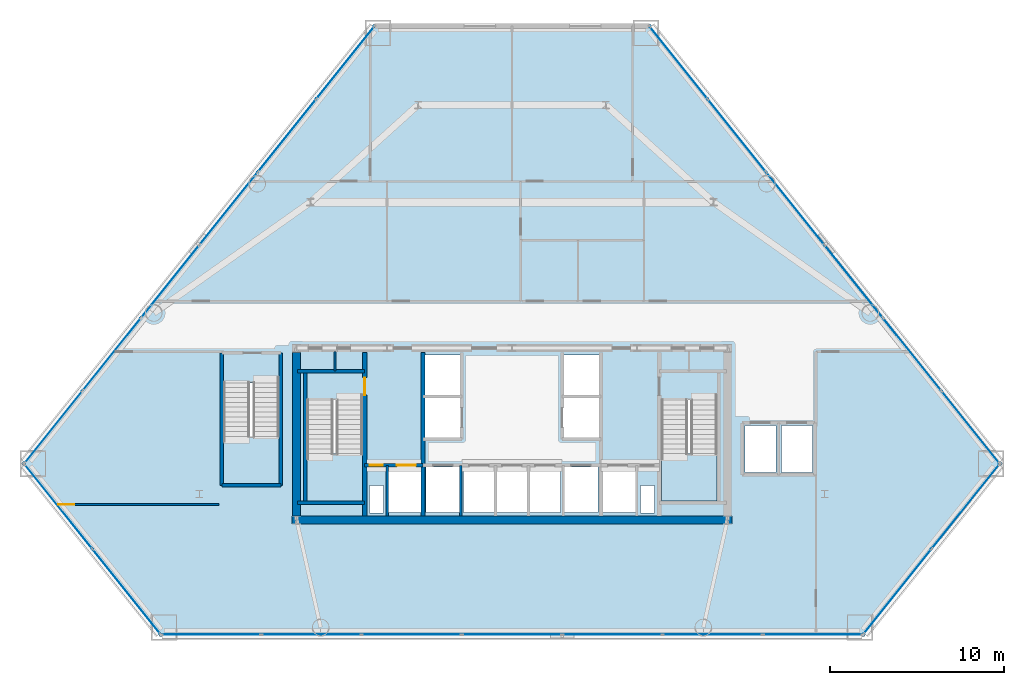
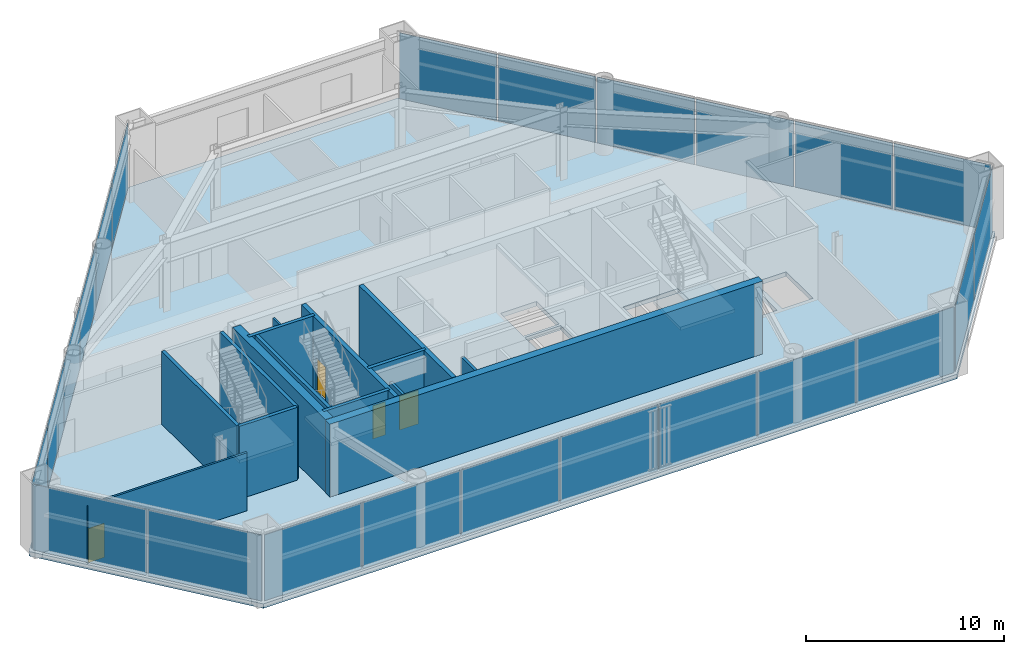
# One storey, part 7 of 13: 23 plates, 15 walls, 4 doors, 4 slabs, 4 openings, 8 elements without a shape of their own.
"""IFC4 building model written with IfcOpenShell, lengths in metres."""

from ifc_helpers import new_model, si_unit, direction, frame, frame_2d, origin, origin_2d, place, context, subcontext, project, spatial, polyline, rectangle, outline, extrude, source, transform, mapped, material, layer, layer_set, type_object, type_shapes, element, fill, aggregate, save


model = new_model("IFC4")

# Units and contexts
model_context = context("Model", 3, precision=1e-05, world=origin(), true_north=direction((0.0, 1.0)))
body_context = subcontext(model_context, "Body", "Model", "MODEL_VIEW")
ifc_project = project(units=[si_unit("LENGTHUNIT", "METRE"), si_unit("AREAUNIT", "SQUARE_METRE"), si_unit("VOLUMEUNIT", "CUBIC_METRE"), si_unit("PLANEANGLEUNIT", "RADIAN"), si_unit("MASSUNIT", "GRAM", prefix="KILO")], contexts=[model_context])

# Site, building, storey
site_placement = place(None, origin())
site = spatial("IfcSite", under=ifc_project, at=site_placement, CompositionType="ELEMENT")
building_placement = place(site_placement, origin())
building = spatial("IfcBuilding", under=site, at=building_placement, Name="Talgorran Terracotta Tower", CompositionType="ELEMENT")
storey_placement = place(building_placement, frame((0.0, 0.0, 9.89990234375)))
storey = spatial("IfcBuildingStorey", under=building, at=storey_placement, Name="L02", CompositionType="ELEMENT", Elevation=9.89990234375)

# Stair, slab
ifc_material_1 = material(Name="Concrete C40/50", Category="concrete")
stair_type_1 = type_object("IfcStairType", Name="ST_FIRE_SCISSOR", PredefinedType="HALF_TURN_STAIR", material=ifc_material_1)
stair_1_placement = place(storey_placement, origin())
stair_1 = element("IfcStair", 1, at=stair_1_placement, inside=storey, type_object=stair_type_1, Name="L02 West Protected Fire Stair ST-01", PredefinedType="HALF_TURN_STAIR")
ifc_layer_1 = layer(ifc_material_1, 0.199951171875, Name="SL_LANDING_200")
ifc_layer_set_1 = layer_set([ifc_layer_1], Name="Concrete C40/50")
slab_type_1 = type_object("IfcSlabType", Name="SL_LANDING_200", PredefinedType="LANDING", material=ifc_layer_set_1)
slab_1_placement = place(storey_placement, frame((0.0, 0.0, 2.050048828125)))
slab_1 = element("IfcSlab", 2, at=slab_1_placement, type_object=slab_type_1, Name="ST-01 landing 1", PredefinedType="LANDING", context=body_context, shape_type="SweptSolid", body=[
    extrude(outline(polyline([(-11.800048828125, -10.280029296875), (-11.800048828125, -13.0), (-8.60009765625, -13.0), (-8.60009765625, -10.280029296875), (-11.800048828125, -10.280029296875)])), origin(), (0.0, 0.0, 1.0), 0.199951171875),
])
aggregate(stair_1, [slab_1])

stair_2_placement = place(storey_placement, origin())
stair_2 = element("IfcStair", 3, at=stair_2_placement, inside=storey, type_object=stair_type_1, Name="L02 East Protected Fire Stair ST-02", PredefinedType="HALF_TURN_STAIR")
slab_2_placement = place(storey_placement, frame((0.0, 0.0, 2.050048828125)))
slab_2 = element("IfcSlab", 4, at=slab_2_placement, type_object=slab_type_1, Name="ST-02 landing 1", PredefinedType="LANDING", context=body_context, shape_type="SweptSolid", body=[
    extrude(outline(polyline([(8.60009765625, -10.280029296875), (8.60009765625, -13.0), (11.800048828125, -13.0), (11.800048828125, -10.280029296875), (8.60009765625, -10.280029296875)])), origin(), (0.0, 0.0, 1.0), 0.199951171875),
])
aggregate(stair_2, [slab_2])

stair_type_2 = type_object("IfcStairType", Name="ST_PODIUM_DOGLEG", PredefinedType="HALF_TURN_STAIR", material=ifc_material_1)
stair_3_placement = place(storey_placement, origin())
stair_3 = element("IfcStair", 5, at=stair_3_placement, inside=storey, type_object=stair_type_2, Name="L02 Podium Health Fire Stair ST-03", PredefinedType="HALF_TURN_STAIR")
slab_3_placement = place(storey_placement, frame((0.0, 0.0, 2.050048828125)))
slab_3 = element("IfcSlab", 6, at=slab_3_placement, type_object=slab_type_1, Name="ST-03 landing 1", PredefinedType="LANDING", context=body_context, shape_type="SweptSolid", body=[
    extrude(outline(polyline([(-16.60009765625, -9.280029296875), (-16.60009765625, -12.0), (-13.39990234375, -12.0), (-13.39990234375, -9.280029296875), (-16.60009765625, -9.280029296875)])), origin(), (0.0, 0.0, 1.0), 0.199951171875),
])
aggregate(stair_3, [slab_3])

# Slab
ifc_material_2 = material(Name="Concrete C50/60", Category="concrete")
ifc_layer_2 = layer(ifc_material_2, 0.280029296875, Name="SL_PODIUM_280")
ifc_layer_set_2 = layer_set([ifc_layer_2], Name="Concrete C50/60")
slab_type_2 = type_object("IfcSlabType", Name="SL_PODIUM_280", PredefinedType="FLOOR", material=ifc_layer_set_2)
slab_4_placement = place(storey_placement, frame((0.0, 0.0, -0.27978515625)))
element("IfcSlab", 7, at=slab_4_placement, inside=storey, type_object=slab_type_2, Name="Storey L02 Structural Floor Slab", PredefinedType="FLOOR", context=body_context, shape_type="SweptSolid", body=[
    extrude(outline(polyline([(-28.236083984375, -10.85595703125), (-20.27197265625, -20.800048828125), (20.27197265625, -20.800048828125), (28.236083984375, -10.85595703125), (7.964111328125, 14.4560546875), (-7.964111328125, 14.4560546875), (-28.236083984375, -10.85595703125)]), holes=[polyline([(-11.800048828125, -7.199951171875), (-11.800048828125, -13.0), (-8.60009765625, -13.0), (-8.60009765625, -7.199951171875), (-11.800048828125, -7.199951171875)]), polyline([(8.60009765625, -7.199951171875), (8.60009765625, -13.0), (11.800048828125, -13.0), (11.800048828125, -7.199951171875), (8.60009765625, -7.199951171875)]), polyline([(-16.60009765625, -6.199951171875), (-16.60009765625, -12.0), (-13.39990234375, -12.0), (-13.39990234375, -6.199951171875), (-16.60009765625, -6.199951171875)]), polyline([(-7.10009765625, -13.64990234375), (-5.199951171875, -13.64990234375), (-5.199951171875, -11.050048828125), (-7.10009765625, -11.050048828125), (-7.10009765625, -13.64990234375)]), polyline([(5.199951171875, -13.64990234375), (7.10009765625, -13.64990234375), (7.10009765625, -11.050048828125), (5.199951171875, -11.050048828125), (5.199951171875, -13.64990234375)]), polyline([(3.0, -13.64990234375), (4.949951171875, -13.64990234375), (4.949951171875, -11.050048828125), (3.0, -11.050048828125), (3.0, -13.64990234375)]), polyline([(-4.949951171875, -13.64990234375), (-3.0, -13.64990234375), (-3.0, -11.050048828125), (-4.949951171875, -11.050048828125), (-4.949951171875, -13.64990234375)]), polyline([(-5.050048828125, -9.35009765625), (-2.949951171875, -9.35009765625), (-2.949951171875, -7.050048828125), (-5.050048828125, -7.050048828125), (-5.050048828125, -9.35009765625)]), polyline([(-5.050048828125, -6.89990234375), (-2.949951171875, -6.89990234375), (-2.949951171875, -4.60009765625), (-5.050048828125, -4.60009765625), (-5.050048828125, -6.89990234375)]), polyline([(2.949951171875, -9.35009765625), (5.050048828125, -9.35009765625), (5.050048828125, -7.050048828125), (2.949951171875, -7.050048828125), (2.949951171875, -9.35009765625)]), polyline([(2.949951171875, -6.89990234375), (5.050048828125, -6.89990234375), (5.050048828125, -4.60009765625), (2.949951171875, -4.60009765625), (2.949951171875, -6.89990234375)]), polyline([(-2.800048828125, -13.64990234375), (-1.0, -13.64990234375), (-1.0, -11.050048828125), (-2.800048828125, -11.050048828125), (-2.800048828125, -13.64990234375)]), polyline([(-0.89990234375, -13.64990234375), (0.89990234375, -13.64990234375), (0.89990234375, -11.050048828125), (-0.89990234375, -11.050048828125), (-0.89990234375, -13.64990234375)]), polyline([(1.0, -13.64990234375), (2.800048828125, -13.64990234375), (2.800048828125, -11.050048828125), (1.0, -11.050048828125), (1.0, -13.64990234375)]), polyline([(13.39990234375, -11.35009765625), (15.199951171875, -11.35009765625), (15.199951171875, -8.64990234375), (13.39990234375, -8.64990234375), (13.39990234375, -11.35009765625)]), polyline([(15.5, -11.35009765625), (17.300048828125, -11.35009765625), (17.300048828125, -8.64990234375), (15.5, -8.64990234375), (15.5, -11.35009765625)]), polyline([(-8.199951171875, -13.699951171875), (-7.39990234375, -13.699951171875), (-7.39990234375, -12.10009765625), (-8.199951171875, -12.10009765625), (-8.199951171875, -13.699951171875)]), polyline([(7.39990234375, -13.699951171875), (8.199951171875, -13.699951171875), (8.199951171875, -12.10009765625), (7.39990234375, -12.10009765625), (7.39990234375, -13.699951171875)])]), origin(), (0.0, 0.0, 1.0), 0.27978515625),
])

# Curtain wall, plates
ifc_material_3 = material(Name="Terracotta and Low-E Glazing", Category="masonry")
ifc_layer_3 = layer(ifc_material_3, 0.219970703125, Name="CW_SYS1_PODIUM")
ifc_layer_set_3 = layer_set([ifc_layer_3], Name="Terracotta and Low-E Glazing")
curtain_wall_type = type_object("IfcCurtainWallType", Name="CW_SYS1_PODIUM", PredefinedType="NOTDEFINED", material=ifc_layer_set_3)
curtain_wall_1_placement = place(storey_placement, origin())
curtain_wall_1 = element("IfcCurtainWall", 8, at=curtain_wall_1_placement, inside=storey, type_object=curtain_wall_type, Name="CW-L02-F0", PredefinedType="NOTDEFINED")
ifc_material_4 = material(Name="Low-E Laminated Vision Glass", Category="glass")
ifc_layer_4 = layer(ifc_material_4, 0.028076171875, Name="PLT_VISION_28")
ifc_layer_set_4 = layer_set([ifc_layer_4], Name="Low-E Laminated Vision Glass")
plate_type = type_object("IfcPlateType", Name="PLT_VISION_28", PredefinedType="CURTAIN_PANEL", material=ifc_layer_set_4)
shared_shape_1 = source(origin(), body_context, "Body", "SweptSolid", [
    extrude(rectangle(XDim=6.1806640625, YDim=0.028076171875, at=origin_2d()), origin(), (0.0, 0.0, 1.0), 4.070068359375),
])
plate_1_placement = place(storey_placement, frame((-26.103515625, -13.32666015625, 0.0751953125), z_axis=(0.0, 0.0, 1.0), x_axis=(0.625116437056, -0.780531511293, 0.0)))
plate_1 = element("IfcPlate", 9, at=plate_1_placement, type_object=plate_type, Name="CW-L02-0 panel 1.1", PredefinedType="CURTAIN_PANEL", context=body_context, shape_type="MappedRepresentation", body=[
    mapped(shared_shape_1, transform((0.0, 0.0, 0.0), scale=1.0)),
])
plate_2_placement = place(storey_placement, frame((-22.193115234375, -18.20947265625, 0.0751953125), z_axis=(0.0, 0.0, 1.0), x_axis=(0.625116437056, -0.780531511293, 0.0)))
plate_2 = element("IfcPlate", 10, at=plate_2_placement, type_object=plate_type, Name="CW-L02-0 panel 2.1", PredefinedType="CURTAIN_PANEL", context=body_context, shape_type="MappedRepresentation", body=[
    mapped(shared_shape_1, transform((0.0, 0.0, 0.0), scale=1.0)),
])
aggregate(curtain_wall_1, [plate_1, plate_2])

curtain_wall_2_placement = place(storey_placement, origin())
curtain_wall_2 = element("IfcCurtainWall", 11, at=curtain_wall_2_placement, inside=storey, type_object=curtain_wall_type, Name="CW-L02-F2", PredefinedType="NOTDEFINED")
plate_3_placement = place(storey_placement, frame((22.193115234375, -18.20947265625, 0.0751953125), z_axis=(0.0, 0.0, 1.0), x_axis=(0.625116437056, 0.780531511293, 0.0)))
plate_3 = element("IfcPlate", 12, at=plate_3_placement, type_object=plate_type, Name="CW-L02-2 panel 1.1", PredefinedType="CURTAIN_PANEL", context=body_context, shape_type="MappedRepresentation", body=[
    mapped(shared_shape_1, transform((0.0, 0.0, 0.0), scale=1.0)),
])
plate_4_placement = place(storey_placement, frame((26.103515625, -13.32666015625, 0.0751953125), z_axis=(0.0, 0.0, 1.0), x_axis=(0.625116437056, 0.780531511293, 0.0)))
plate_4 = element("IfcPlate", 13, at=plate_4_placement, type_object=plate_type, Name="CW-L02-2 panel 2.1", PredefinedType="CURTAIN_PANEL", context=body_context, shape_type="MappedRepresentation", body=[
    mapped(shared_shape_1, transform((0.0, 0.0, 0.0), scale=1.0)),
])
aggregate(curtain_wall_2, [plate_3, plate_4])

curtain_wall_3_placement = place(storey_placement, origin())
curtain_wall_3 = element("IfcCurtainWall", 14, at=curtain_wall_3_placement, inside=storey, type_object=curtain_wall_type, Name="CW-L02-F1", PredefinedType="NOTDEFINED")
shared_shape_2 = source(origin(), body_context, "Body", "SweptSolid", [
    extrude(rectangle(XDim=5.6630859375, YDim=0.028076171875, at=origin_2d()), origin(), (0.0, 0.0, 1.0), 4.070068359375),
])
plate_5_placement = place(storey_placement, frame((-17.307861328125, -20.679931640625, 0.0751953125), z_axis=(0.0, 0.0, 1.0), x_axis=(1.0, 0.0, 0.0)))
plate_5 = element("IfcPlate", 15, at=plate_5_placement, type_object=plate_type, Name="CW-L02-1 panel 1.1", PredefinedType="CURTAIN_PANEL", context=body_context, shape_type="MappedRepresentation", body=[
    mapped(shared_shape_2, transform((0.0, 0.0, 0.0), scale=1.0)),
])
plate_6_placement = place(storey_placement, frame((17.307861328125, -20.679931640625, 0.0751953125), z_axis=(0.0, 0.0, 1.0), x_axis=(1.0, 0.0, 0.0)))
plate_6 = element("IfcPlate", 16, at=plate_6_placement, type_object=plate_type, Name="CW-L02-1 panel 7.1", PredefinedType="CURTAIN_PANEL", context=body_context, shape_type="MappedRepresentation", body=[
    mapped(shared_shape_2, transform((0.0, 0.0, 0.0), scale=1.0)),
])
shared_shape_3 = source(origin(), body_context, "Body", "SweptSolid", [
    extrude(rectangle(XDim=5.700439453125, YDim=0.028076171875, at=origin_2d()), origin(), (0.0, 0.0, 1.0), 4.070068359375),
])
plate_7_placement = place(storey_placement, frame((-11.551025390625, -20.679931640625, 0.0751953125), z_axis=(0.0, 0.0, 1.0), x_axis=(1.0, 0.0, 0.0)))
plate_7 = element("IfcPlate", 17, at=plate_7_placement, type_object=plate_type, Name="CW-L02-1 panel 2.1", PredefinedType="CURTAIN_PANEL", context=body_context, shape_type="MappedRepresentation", body=[
    mapped(shared_shape_3, transform((0.0, 0.0, 0.0), scale=1.0)),
])
plate_8_placement = place(storey_placement, frame((-5.775634765625, -20.679931640625, 0.0751953125), z_axis=(0.0, 0.0, 1.0), x_axis=(1.0, 0.0, 0.0)))
plate_8 = element("IfcPlate", 18, at=plate_8_placement, type_object=plate_type, Name="CW-L02-1 panel 3.1", PredefinedType="CURTAIN_PANEL", context=body_context, shape_type="MappedRepresentation", body=[
    mapped(shared_shape_3, transform((0.0, 0.0, 0.0), scale=1.0)),
])
plate_9_placement = place(storey_placement, frame((0.0, -20.679931640625, 0.0751953125), z_axis=(0.0, 0.0, 1.0), x_axis=(1.0, 0.0, 0.0)))
plate_9 = element("IfcPlate", 19, at=plate_9_placement, type_object=plate_type, Name="CW-L02-1 panel 4.1", PredefinedType="CURTAIN_PANEL", context=body_context, shape_type="MappedRepresentation", body=[
    mapped(shared_shape_3, transform((0.0, 0.0, 0.0), scale=1.0)),
])
plate_10_placement = place(storey_placement, frame((5.775634765625, -20.679931640625, 0.0751953125), z_axis=(0.0, 0.0, 1.0), x_axis=(1.0, 0.0, 0.0)))
plate_10 = element("IfcPlate", 20, at=plate_10_placement, type_object=plate_type, Name="CW-L02-1 panel 5.1", PredefinedType="CURTAIN_PANEL", context=body_context, shape_type="MappedRepresentation", body=[
    mapped(shared_shape_3, transform((0.0, 0.0, 0.0), scale=1.0)),
])
plate_11_placement = place(storey_placement, frame((11.551025390625, -20.679931640625, 0.0751953125), z_axis=(0.0, 0.0, 1.0), x_axis=(1.0, 0.0, 0.0)))
plate_11 = element("IfcPlate", 21, at=plate_11_placement, type_object=plate_type, Name="CW-L02-1 panel 6.1", PredefinedType="CURTAIN_PANEL", context=body_context, shape_type="MappedRepresentation", body=[
    mapped(shared_shape_3, transform((0.0, 0.0, 0.0), scale=1.0)),
])
aggregate(curtain_wall_3, [plate_5, plate_7, plate_8, plate_9, plate_10, plate_11, plate_6])

curtain_wall_4_placement = place(storey_placement, origin())
curtain_wall_4 = element("IfcCurtainWall", 22, at=curtain_wall_4_placement, inside=storey, type_object=curtain_wall_type, Name="CW-L02-F3", PredefinedType="NOTDEFINED")
shared_shape_4 = source(origin(), body_context, "Body", "SweptSolid", [
    extrude(rectangle(XDim=5.266845703125, YDim=0.028076171875, at=origin_2d()), origin(), (0.0, 0.0, 1.0), 4.070068359375),
])
plate_12_placement = place(storey_placement, frame((26.38916015625, -8.741943359375, 0.0751953125), z_axis=(0.0, 0.0, 1.0), x_axis=(-0.625116254142, 0.780531657787, 0.0)))
plate_12 = element("IfcPlate", 23, at=plate_12_placement, type_object=plate_type, Name="CW-L02-3 panel 1.1", PredefinedType="CURTAIN_PANEL", context=body_context, shape_type="MappedRepresentation", body=[
    mapped(shared_shape_4, transform((0.0, 0.0, 0.0), scale=1.0)),
])
plate_13_placement = place(storey_placement, frame((9.599365234375, 12.221923828125, 0.0751953125), z_axis=(0.0, 0.0, 1.0), x_axis=(-0.625116254142, 0.780531657787, 0.0)))
plate_13 = element("IfcPlate", 24, at=plate_13_placement, type_object=plate_type, Name="CW-L02-3 panel 6.1", PredefinedType="CURTAIN_PANEL", context=body_context, shape_type="MappedRepresentation", body=[
    mapped(shared_shape_4, transform((0.0, 0.0, 0.0), scale=1.0)),
])

curtain_wall_5_placement = place(storey_placement, origin())
curtain_wall_5 = element("IfcCurtainWall", 25, at=curtain_wall_5_placement, inside=storey, type_object=curtain_wall_type, Name="CW-L02-F5", PredefinedType="NOTDEFINED")
plate_14_placement = place(storey_placement, frame((-9.599365234375, 12.221923828125, 0.0751953125), z_axis=(0.0, 0.0, 1.0), x_axis=(-0.625116254142, -0.780531657787, 0.0)))
plate_14 = element("IfcPlate", 26, at=plate_14_placement, type_object=plate_type, Name="CW-L02-5 panel 1.1", PredefinedType="CURTAIN_PANEL", context=body_context, shape_type="MappedRepresentation", body=[
    mapped(shared_shape_4, transform((0.0, 0.0, 0.0), scale=1.0)),
])
plate_15_placement = place(storey_placement, frame((-26.38916015625, -8.741943359375, 0.0751953125), z_axis=(0.0, 0.0, 1.0), x_axis=(-0.625116254142, -0.780531657787, 0.0)))
plate_15 = element("IfcPlate", 27, at=plate_15_placement, type_object=plate_type, Name="CW-L02-5 panel 6.1", PredefinedType="CURTAIN_PANEL", context=body_context, shape_type="MappedRepresentation", body=[
    mapped(shared_shape_4, transform((0.0, 0.0, 0.0), scale=1.0)),
])

# Plate
shared_shape_5 = source(origin(), body_context, "Body", "SweptSolid", [
    extrude(rectangle(XDim=5.30419921875, YDim=0.028076171875, at=origin_2d()), origin(), (0.0, 0.0, 1.0), 4.070068359375),
])
type_shapes(plate_type, [shared_shape_1, shared_shape_2, shared_shape_3, shared_shape_4, shared_shape_5])
plate_16_placement = place(storey_placement, frame((23.038330078125, -4.55810546875, 0.0751953125), z_axis=(0.0, 0.0, 1.0), x_axis=(-0.625116254142, 0.780531657787, 0.0)))
plate_16 = element("IfcPlate", 28, at=plate_16_placement, type_object=plate_type, Name="CW-L02-3 panel 2.1", PredefinedType="CURTAIN_PANEL", context=body_context, shape_type="MappedRepresentation", body=[
    mapped(shared_shape_5, transform((0.0, 0.0, 0.0), scale=1.0)),
])

plate_17_placement = place(storey_placement, frame((19.67578125, -0.359375, 0.0751953125), z_axis=(0.0, 0.0, 1.0), x_axis=(-0.625116254142, 0.780531657787, 0.0)))
plate_17 = element("IfcPlate", 29, at=plate_17_placement, type_object=plate_type, Name="CW-L02-3 panel 3.1", PredefinedType="CURTAIN_PANEL", context=body_context, shape_type="MappedRepresentation", body=[
    mapped(shared_shape_5, transform((0.0, 0.0, 0.0), scale=1.0)),
])

plate_18_placement = place(storey_placement, frame((16.31298828125, 3.83935546875, 0.0751953125), z_axis=(0.0, 0.0, 1.0), x_axis=(-0.625116254142, 0.780531657787, 0.0)))
plate_18 = element("IfcPlate", 30, at=plate_18_placement, type_object=plate_type, Name="CW-L02-3 panel 4.1", PredefinedType="CURTAIN_PANEL", context=body_context, shape_type="MappedRepresentation", body=[
    mapped(shared_shape_5, transform((0.0, 0.0, 0.0), scale=1.0)),
])

plate_19_placement = place(storey_placement, frame((12.950439453125, 8.0380859375, 0.0751953125), z_axis=(0.0, 0.0, 1.0), x_axis=(-0.625116254142, 0.780531657787, 0.0)))
plate_19 = element("IfcPlate", 31, at=plate_19_placement, type_object=plate_type, Name="CW-L02-3 panel 5.1", PredefinedType="CURTAIN_PANEL", context=body_context, shape_type="MappedRepresentation", body=[
    mapped(shared_shape_5, transform((0.0, 0.0, 0.0), scale=1.0)),
])

aggregate(curtain_wall_4, [plate_12, plate_16, plate_17, plate_18, plate_19, plate_13])

plate_20_placement = place(storey_placement, frame((-12.950439453125, 8.0380859375, 0.0751953125), z_axis=(0.0, 0.0, 1.0), x_axis=(-0.625116254142, -0.780531657787, 0.0)))
plate_20 = element("IfcPlate", 32, at=plate_20_placement, type_object=plate_type, Name="CW-L02-5 panel 2.1", PredefinedType="CURTAIN_PANEL", context=body_context, shape_type="MappedRepresentation", body=[
    mapped(shared_shape_5, transform((0.0, 0.0, 0.0), scale=1.0)),
])

plate_21_placement = place(storey_placement, frame((-16.31298828125, 3.83935546875, 0.0751953125), z_axis=(0.0, 0.0, 1.0), x_axis=(-0.625116254142, -0.780531657787, 0.0)))
plate_21 = element("IfcPlate", 33, at=plate_21_placement, type_object=plate_type, Name="CW-L02-5 panel 3.1", PredefinedType="CURTAIN_PANEL", context=body_context, shape_type="MappedRepresentation", body=[
    mapped(shared_shape_5, transform((0.0, 0.0, 0.0), scale=1.0)),
])

plate_22_placement = place(storey_placement, frame((-19.67578125, -0.359375, 0.0751953125), z_axis=(0.0, 0.0, 1.0), x_axis=(-0.625116254142, -0.780531657787, 0.0)))
plate_22 = element("IfcPlate", 34, at=plate_22_placement, type_object=plate_type, Name="CW-L02-5 panel 4.1", PredefinedType="CURTAIN_PANEL", context=body_context, shape_type="MappedRepresentation", body=[
    mapped(shared_shape_5, transform((0.0, 0.0, 0.0), scale=1.0)),
])

plate_23_placement = place(storey_placement, frame((-23.038330078125, -4.55810546875, 0.0751953125), z_axis=(0.0, 0.0, 1.0), x_axis=(-0.625116254142, -0.780531657787, 0.0)))
plate_23 = element("IfcPlate", 35, at=plate_23_placement, type_object=plate_type, Name="CW-L02-5 panel 5.1", PredefinedType="CURTAIN_PANEL", context=body_context, shape_type="MappedRepresentation", body=[
    mapped(shared_shape_5, transform((0.0, 0.0, 0.0), scale=1.0)),
])

aggregate(curtain_wall_5, [plate_14, plate_20, plate_21, plate_22, plate_23, plate_15])

# Walls
ifc_layer_5 = layer(ifc_material_2, 0.199951171875, Name="WT_CORE_200")
ifc_layer_set_5 = layer_set([ifc_layer_5], Name="Concrete C50/60")
wall_type_1 = type_object("IfcWallType", Name="WT_CORE_200", PredefinedType="SOLIDWALL", material=ifc_layer_set_5)
for number, where, z_axis, x_axis, name in (
    (36, (-12.35009765625, -5.52001953125, 0.0), (0.0, 0.0, 1.0), (1.0, 0.0, 0.0), "WL-L02-CW-ST1-N"),
    (37, (-12.35009765625, -13.10009765625, 0.0), (0.0, 0.0, 1.0), (1.0, 0.0, 0.0), "WL-L02-CW-ST1-S"),
):
    element("IfcWall", number, at=place(storey_placement, frame(where, z_axis=z_axis, x_axis=x_axis)), inside=storey, type_object=wall_type_1, Name=name, PredefinedType="SOLIDWALL", context=body_context, shape_type="SweptSolid", body=[
        extrude(rectangle(XDim=3.8701171875, YDim=0.199951171875, at=frame_2d((1.93505859375, 0.0))), origin(), (0.0, 0.0, 1.0), 4.5),
    ])
wall_1_placement = place(storey_placement, frame((-11.89990234375, -13.10009765625, 0.0), z_axis=(0.0, 0.0, 1.0), x_axis=(0.0, 1.0, 0.0)))
element("IfcWall", 38, at=wall_1_placement, inside=storey, type_object=wall_type_1, Name="WL-L02-CW-ST1-W", PredefinedType="SOLIDWALL", context=body_context, shape_type="SweptSolid", body=[
    extrude(rectangle(XDim=7.580078125, YDim=0.199951171875, at=frame_2d((3.7900390625, 0.0))), origin(), (0.0, 0.0, 1.0), 4.5),
])

# Wall, openings, doors
wall_2_placement = place(storey_placement, frame((-8.47998046875, -10.949951171875, 0.0), z_axis=(0.0, 0.0, 1.0), x_axis=(1.0, 0.0, 0.0)))
wall_2 = element("IfcWall", 39, at=wall_2_placement, inside=storey, type_object=wall_type_1, Name="WL-L02-CW-H-SBW", PredefinedType="SOLIDWALL", context=body_context, shape_type="SweptSolid", body=[
    extrude(rectangle(XDim=3.35986328125, YDim=0.199951171875, at=frame_2d((1.679931640625, 0.0))), origin(), (0.0, 0.0, 1.0), 4.5),
])
opening_1_placement = place(wall_2_placement, frame((0.280029296875, 0.0, 0.0)))
opening_1 = element("IfcOpeningElement", 40, at=opening_1_placement, cuts=wall_2, Name="Opening DR-RSW", PredefinedType="OPENING", context=body_context, shape_type="SweptSolid", body=[
    extrude(rectangle(XDim=0.756, YDim=2.054048828125, at=frame_2d((0.375, 1.027099609375))), frame((0.0, 0.10986328125, 0.0), z_axis=(0.0, -1.0, 0.0), x_axis=(1.0, 0.0, 0.0)), (0.0, 0.0, 1.0), 0.219970703125),
])
opening_2_placement = place(wall_2_placement, frame((1.85009765625, 0.0, 0.0)))
opening_2 = element("IfcOpeningElement", 41, at=opening_2_placement, cuts=wall_2, Name="Opening LD-FFL1", PredefinedType="OPENING", context=body_context, shape_type="SweptSolid", body=[
    extrude(rectangle(XDim=1.10609765625, YDim=2.10409765625, at=frame_2d((0.550048828125, 1.052001953125))), frame((0.0, 0.10986328125, 0.0), z_axis=(0.0, -1.0, 0.0), x_axis=(1.0, 0.0, 0.0)), (0.0, 0.0, 1.0), 0.219970703125),
])
ifc_material_5 = material(Name="Brushed Stainless Steel Grade 304", Category="steel")
door_type_1 = type_object("IfcDoorType", Name="DT_LIFT_LD1100", OperationType="DOUBLE_DOOR_SLIDING", PredefinedType="DOOR", material=ifc_material_5)
door_1_placement = place(opening_2_placement, origin())
door_1 = element("IfcDoor", 42, at=door_1_placement, inside=storey, type_object=door_type_1, Name="L02 Lift Landing Door LD-FFL1", OperationType="DOUBLE_DOOR_SLIDING", OverallHeight=2.10009765625, OverallWidth=1.10009765625, PredefinedType="DOOR", context=body_context, shape_type="SweptSolid", body=[
    extrude(rectangle(XDim=1.10009765625, YDim=2.10009765625, at=frame_2d((0.550048828125, 1.050048828125))), frame((0.0, 0.02490234375, 0.0), z_axis=(0.0, -1.0, 0.0), x_axis=(1.0, 0.0, 0.0)), (0.0, 0.0, 1.0), 0.050048828125),
])
fill(opening_2, door_1)
ifc_material_6 = material(Name="Fire-Rated Pressed Steel", Category="steel")
door_type_2 = type_object("IfcDoorType", Name="DT_RISER_750", OperationType="NOTDEFINED", PredefinedType="DOOR", material=ifc_material_6)
door_2_placement = place(opening_1_placement, origin())
door_2 = element("IfcDoor", 43, at=door_2_placement, inside=storey, type_object=door_type_2, Name="DR-RSW", OperationType="SINGLE_SWING_LEFT", OverallHeight=2.050048828125, OverallWidth=0.75, PredefinedType="DOOR", context=body_context, shape_type="SweptSolid", body=[
    extrude(rectangle(XDim=0.75, YDim=2.050048828125, at=frame_2d((0.375, 1.02490234375))), frame((0.0, 0.02490234375, 0.0), z_axis=(0.0, -1.0, 0.0), x_axis=(1.0, 0.0, 0.0)), (0.0, 0.0, 1.0), 0.050048828125),
])
fill(opening_1, door_2)

# Walls
for number, where, z_axis, x_axis, name in (
    (44, (-16.699951171875, -12.10009765625, 0.0), (0.0, 0.0, 1.0), (0.0, 1.0, 0.0), "WL-L02-PW-ST3-W"),
    (45, (-13.300048828125, -12.10009765625, 0.0), (0.0, 0.0, 1.0), (0.0, 1.0, 0.0), "WL-L02-PW-ST3-E"),
):
    element("IfcWall", number, at=place(storey_placement, frame(where, z_axis=z_axis, x_axis=x_axis)), inside=storey, type_object=wall_type_1, Name=name, PredefinedType="SOLIDWALL", context=body_context, shape_type="SweptSolid", body=[
        extrude(rectangle(XDim=7.6201171875, YDim=0.199951171875, at=frame_2d((3.81005859375, 0.0))), origin(), (0.0, 0.0, 1.0), 4.5),
    ])
wall_3_placement = place(storey_placement, frame((-16.699951171875, -12.10009765625, 0.0), z_axis=(0.0, 0.0, 1.0), x_axis=(1.0, 0.0, 0.0)))
element("IfcWall", 46, at=wall_3_placement, inside=storey, type_object=wall_type_1, Name="WL-L02-PW-ST3-S", PredefinedType="SOLIDWALL", context=body_context, shape_type="SweptSolid", body=[
    extrude(rectangle(XDim=3.39990234375, YDim=0.199951171875, at=frame_2d((1.699951171875, 0.0))), origin(), (0.0, 0.0, 1.0), 4.5),
])

# Wall, opening, door
ifc_layer_6 = layer(ifc_material_2, 0.25, Name="WT_CORE_250")
ifc_layer_set_6 = layer_set([ifc_layer_6], Name="Concrete C50/60")
wall_type_2 = type_object("IfcWallType", Name="WT_CORE_250", PredefinedType="SHEAR", material=ifc_layer_set_6)
wall_4_placement = place(storey_placement, frame((-8.47998046875, -13.85009765625, 0.0), z_axis=(0.0, 0.0, 1.0), x_axis=(0.0, 1.0, 0.0)))
wall_4 = element("IfcWall", 47, at=wall_4_placement, inside=storey, type_object=wall_type_2, Name="WL-L02-CW-V-W1", PredefinedType="SHEAR", context=body_context, shape_type="SweptSolid", body=[
    extrude(rectangle(XDim=9.400146484375, YDim=0.25, at=frame_2d((4.7001953125, 0.0))), origin(), (0.0, 0.0, 1.0), 4.5),
])
opening_3_placement = place(wall_4_placement, frame((6.949951171875, 0.0, 0.0)))
opening_3 = element("IfcOpeningElement", 48, at=opening_3_placement, cuts=wall_4, Name="Opening DR-ST01", PredefinedType="OPENING", context=body_context, shape_type="SweptSolid", body=[
    extrude(rectangle(XDim=1.006, YDim=2.10409765625, at=frame_2d((0.5, 1.052001953125))), frame((0.0, 0.135009765625, 0.0), z_axis=(0.0, -1.0, 0.0), x_axis=(1.0, 0.0, 0.0)), (0.0, 0.0, 1.0), 0.27001953125),
])
door_type_3 = type_object("IfcDoorType", Name="DT_FIRE_1000", OperationType="NOTDEFINED", PredefinedType="DOOR", material=ifc_material_6)
door_3_placement = place(opening_3_placement, origin())
door_3 = element("IfcDoor", 49, at=door_3_placement, inside=storey, type_object=door_type_3, Name="DR-ST01", OperationType="SINGLE_SWING_LEFT", OverallHeight=2.10009765625, OverallWidth=1.0, PredefinedType="DOOR", context=body_context, shape_type="SweptSolid", body=[
    extrude(rectangle(XDim=1.0, YDim=2.10009765625, at=frame_2d((0.5, 1.050048828125))), frame((0.0, 0.02490234375, 0.0), z_axis=(0.0, -1.0, 0.0), x_axis=(1.0, 0.0, 0.0)), (0.0, 0.0, 1.0), 0.050048828125),
])
fill(opening_3, door_3)

# Walls
wall_5_placement = place(storey_placement, frame((-5.1201171875, -13.85009765625, 0.0), z_axis=(0.0, 0.0, 1.0), x_axis=(0.0, 1.0, 0.0)))
element("IfcWall", 50, at=wall_5_placement, inside=storey, type_object=wall_type_2, Name="WL-L02-CW-V-W2", PredefinedType="SHEAR", context=body_context, shape_type="SweptSolid", body=[
    extrude(rectangle(XDim=9.400146484375, YDim=0.25, at=frame_2d((4.7001953125, 0.0))), origin(), (0.0, 0.0, 1.0), 4.5),
])
ifc_material_7 = material(Name="Concrete C65/80", Category="concrete")
ifc_layer_7 = layer(ifc_material_7, 0.449951171875, Name="WT_CORE_EXT")
ifc_layer_set_7 = layer_set([ifc_layer_7], Name="Concrete C65/80")
wall_type_3 = type_object("IfcWallType", Name="WT_CORE_EXT", PredefinedType="SHEAR", material=ifc_layer_set_7)
wall_6_placement = place(storey_placement, frame((-12.64990234375, -14.10009765625, 0.0), z_axis=(0.0, 0.0, 1.0), x_axis=(1.0, 0.0, 0.0)))
element("IfcWall", 51, at=wall_6_placement, inside=storey, type_object=wall_type_3, Name="WL-L02-CW-OUT-S", PredefinedType="SHEAR", context=body_context, shape_type="SweptSolid", body=[
    extrude(rectangle(XDim=25.2998046875, YDim=0.449951171875, at=frame_2d((12.64990234375, 0.0))), origin(), (0.0, 0.0, 1.0), 4.5),
])
wall_7_placement = place(storey_placement, frame((-12.39990234375, -13.85009765625, 0.0), z_axis=(0.0, 0.0, 1.0), x_axis=(0.0, 1.0, 0.0)))
element("IfcWall", 52, at=wall_7_placement, inside=storey, type_object=wall_type_3, Name="WL-L02-CW-OUT-W", PredefinedType="SHEAR", context=body_context, shape_type="SweptSolid", body=[
    extrude(rectangle(XDim=9.400146484375, YDim=0.449951171875, at=frame_2d((4.7001953125, 0.0))), origin(), (0.0, 0.0, 1.0), 4.5),
])
ifc_material_8 = material(Name="Insulated Steel Stud Plasterboard", Category="steel")
ifc_layer_8 = layer(ifc_material_8, 0.1201171875, Name="WT_PART_120")
ifc_layer_set_8 = layer_set([ifc_layer_8], Name="Insulated Steel Stud Plasterboard")
wall_type_4 = type_object("IfcWallType", Name="WT_PART_120", PredefinedType="PARTITIONING", material=ifc_layer_set_8)
wall_8_placement = place(storey_placement, frame((-10.199951171875, -5.52001953125, 0.0), z_axis=(0.0, 0.0, 1.0), x_axis=(0.0, 1.0, 0.0)))
element("IfcWall", 53, at=wall_8_placement, inside=storey, type_object=wall_type_4, Name="WL-L02-CW-CSW-DIV", PredefinedType="PARTITIONING", context=body_context, shape_type="SweptSolid", body=[
    extrude(rectangle(XDim=1.1201171875, YDim=0.1201171875, at=frame_2d((0.56005859375, 0.0))), origin(), (0.0, 0.0, 1.0), 4.22021484375),
])

# Wall, opening, door
wall_9_placement = place(storey_placement, frame((-26.205078125, -13.199951171875, 0.0), z_axis=(0.0, 0.0, 1.0), x_axis=(1.0, 0.0, 0.0)))
wall_9 = element("IfcWall", 54, at=wall_9_placement, inside=storey, type_object=wall_type_4, Name="WL-L02-W-L02-R09", PredefinedType="PARTITIONING", context=body_context, shape_type="SweptSolid", body=[
    extrude(rectangle(XDim=9.344970703125, YDim=0.1201171875, at=frame_2d((4.67236328125, 0.0))), origin(), (0.0, 0.0, 1.0), 3.58349609375),
])
opening_4_placement = place(wall_9_placement, frame((0.10009765625, 0.0, 0.0)))
opening_4 = element("IfcOpeningElement", 55, at=opening_4_placement, cuts=wall_9, Name="Opening DR-L02-R01", PredefinedType="OPENING", context=body_context, shape_type="SweptSolid", body=[
    extrude(rectangle(XDim=0.925921875, YDim=2.10409765625, at=frame_2d((0.4599609375, 1.052001953125))), frame((0.0, 0.070068359375, 0.0), z_axis=(0.0, -1.0, 0.0), x_axis=(1.0, 0.0, 0.0)), (0.0, 0.0, 1.0), 0.14013671875),
])
ifc_material_9 = material(Name="Solid-Core Painted Timber", Category="wood")
door_type_4 = type_object("IfcDoorType", Name="DT_INT_920", OperationType="NOTDEFINED", PredefinedType="DOOR", material=ifc_material_9)
door_4_placement = place(opening_4_placement, origin())
door_4 = element("IfcDoor", 56, at=door_4_placement, inside=storey, type_object=door_type_4, Name="DR-L02-R01", OperationType="SINGLE_SWING_LEFT", OverallHeight=2.10009765625, OverallWidth=0.919921875, PredefinedType="DOOR", context=body_context, shape_type="SweptSolid", body=[
    extrude(rectangle(XDim=0.919921875, YDim=2.10009765625, at=frame_2d((0.4599609375, 1.050048828125))), frame((0.0, 0.02490234375, 0.0), z_axis=(0.0, -1.0, 0.0), x_axis=(1.0, 0.0, 0.0)), (0.0, 0.0, 1.0), 0.050048828125),
])
fill(opening_4, door_4)

# Walls
ifc_material_10 = material(Name="Fire-Rated Shaftwall")
ifc_layer_9 = layer(ifc_material_10, 0.159912109375, Name="WT_PART_150")
ifc_layer_set_9 = layer_set([ifc_layer_9], Name="Fire-Rated Shaftwall")
wall_type_5 = type_object("IfcWallType", Name="WT_PART_150", PredefinedType="PARTITIONING", material=ifc_layer_set_9)
for number, where, z_axis, x_axis, name in (
    (57, (-7.179931640625, -13.85009765625, 0.0), (0.0, 0.0, 1.0), (0.0, 1.0, 0.0), "WL-L02-CW-RSW"),
    (58, (-2.949951171875, -13.85009765625, 0.0), (0.0, 0.0, 1.0), (0.0, 1.0, 0.0), "WL-L02-CW-OB-E"),
):
    element("IfcWall", number, at=place(storey_placement, frame(where, z_axis=z_axis, x_axis=x_axis)), inside=storey, type_object=wall_type_5, Name=name, PredefinedType="PARTITIONING", context=body_context, shape_type="SweptSolid", body=[
        extrude(rectangle(XDim=2.900146484375, YDim=0.159912109375, at=frame_2d((1.4501953125, 0.0))), origin(), (0.0, 0.0, 1.0), 3.2451171875),
    ])

save(model, "model.ifc")
